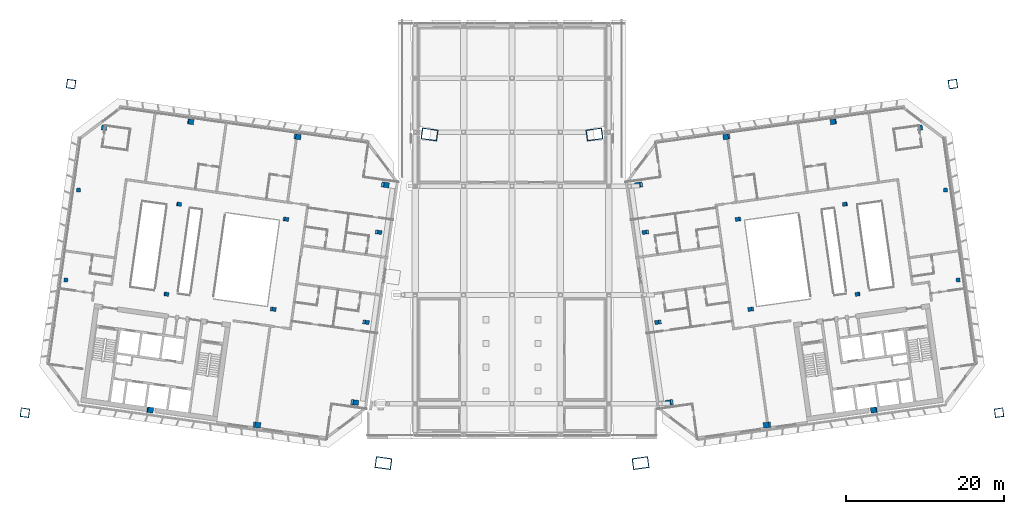
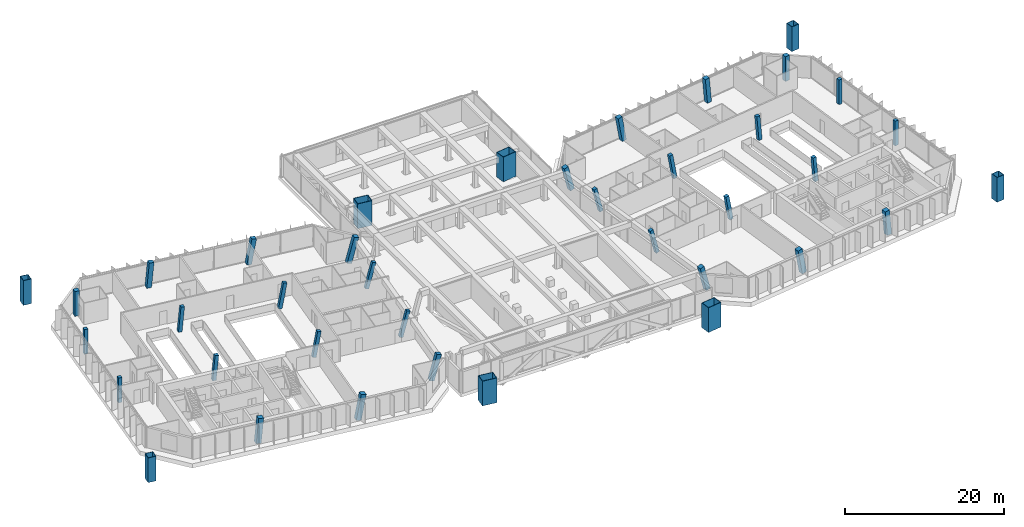
# One storey, part 1 of 30: 38 columns.
"""IFC4 building model written with IfcOpenShell, lengths in metres."""

from ifc_helpers import new_model, si_unit, direction, frame, origin, origin_2d, place, context, subcontext, project, spatial, rectangle, hollow_rectangle, extrude, material, material_profile, profile_set, type_object, element, save


model = new_model("IFC4")

# Units and contexts
model_context = context("Model", 3, precision=1e-05, world=origin(), true_north=direction((0.0, 1.0)))
body_context = subcontext(model_context, "Body", "Model", "MODEL_VIEW")
ifc_project = project(units=[si_unit("LENGTHUNIT", "METRE"), si_unit("AREAUNIT", "SQUARE_METRE"), si_unit("VOLUMEUNIT", "CUBIC_METRE"), si_unit("PLANEANGLEUNIT", "RADIAN"), si_unit("MASSUNIT", "GRAM", prefix="KILO")], contexts=[model_context])

# Site, building, storey
site_placement = place(None, origin())
site = spatial("IfcSite", under=ifc_project, at=site_placement, CompositionType="ELEMENT")
building_placement = place(site_placement, origin())
building = spatial("IfcBuilding", under=site, at=building_placement, Name="Mirante Cascada Hotel Towers", CompositionType="ELEMENT")
storey_placement = place(building_placement, frame((0.0, 0.0, 258.4)))
storey = spatial("IfcBuildingStorey", under=building, at=storey_placement, Name="L62", CompositionType="ELEMENT", Elevation=258.4)

# Columns
ifc_material_1 = material(Name="Steel ASTM A572 Gr 50", Category="steel")
ifc_material_profile_1 = material_profile(ifc_material_1, hollow_rectangle(XDim=1.1, YDim=1.1, WallThickness=0.05, at=origin_2d()), Name="Box column 1100x1100x50 ASTM A572 Gr 50")
ifc_profile_set_1 = profile_set([ifc_material_profile_1], Name="Steel ASTM A572 Gr 50")
column_type_1 = type_object("IfcColumnType", Name="Box column 1100x1100x50 ASTM A572 Gr 50", PredefinedType="COLUMN", material=ifc_profile_set_1)
for number, where, z_axis, x_axis, name in (
    (1, (-55.7951, 22.8316, 0.0), (0.0, 0.0, 1.0), (-0.9902681, 0.1391731, 0.0), "Mega column MC3 T1 L62"),
    (2, (-61.6404, -18.7596, 0.0), (0.0, 0.0, 1.0), (-0.9902681, 0.1391731, 0.0), "Mega column MC4 T1 L62"),
    (3, (55.7951, 22.8316, 0.0), (0.0, 0.0, 1.0), (0.9902681, 0.1391731, 0.0), "Mega column MC3 T2 L62"),
    (4, (61.6404, -18.7596, 0.0), (0.0, 0.0, 1.0), (0.9902681, 0.1391731, 0.0), "Mega column MC4 T2 L62"),
):
    element("IfcColumn", number, at=place(storey_placement, frame(where, z_axis=z_axis, x_axis=x_axis)), inside=storey, type_object=column_type_1, Name=name, PredefinedType="COLUMN", context=body_context, shape_type="SweptSolid", body=[
        extrude(hollow_rectangle(XDim=1.1, YDim=1.1, WallThickness=0.05, at=origin_2d()), origin(), (0.0, 0.0, 1.0), 3.8),
    ])
ifc_material_2 = material(Name="Steel ASTM A572 Gr 50", Category="steel")
ifc_material_profile_2 = material_profile(ifc_material_2, hollow_rectangle(XDim=2.0, YDim=1.4, WallThickness=0.06, at=origin_2d()), Name="Box column 1400x2000x60 ASTM A572 Gr 50")
ifc_profile_set_2 = profile_set([ifc_material_profile_2], Name="Steel ASTM A572 Gr 50")
column_type_2 = type_object("IfcColumnType", Name="Box column 1400x2000x60 ASTM A572 Gr 50", PredefinedType="COLUMN", material=ifc_profile_set_2)
for number, where, z_axis, x_axis, name in (
    (5, (-10.429, 16.4559, 0.0), (0.0, 0.0, 1.0), (-0.9902681, 0.1391731, 0.0), "Mega column MC1 T1 L62"),
    (6, (-16.2743, -25.1354, 0.0), (0.0, 0.0, 1.0), (-0.9902681, 0.1391731, 0.0), "Mega column MC2 T1 L62"),
    (7, (10.429, 16.4559, 0.0), (0.0, 0.0, 1.0), (0.9902681, 0.1391731, 0.0), "Mega column MC1 T2 L62"),
    (8, (16.2743, -25.1354, 0.0), (0.0, 0.0, 1.0), (0.9902681, 0.1391731, 0.0), "Mega column MC2 T2 L62"),
):
    element("IfcColumn", number, at=place(storey_placement, frame(where, z_axis=z_axis, x_axis=x_axis)), inside=storey, type_object=column_type_2, Name=name, PredefinedType="COLUMN", context=body_context, shape_type="SweptSolid", body=[
        extrude(hollow_rectangle(XDim=2.0, YDim=1.4, WallThickness=0.06, at=origin_2d()), origin(), (0.0, 0.0, 1.0), 3.8),
    ])
ifc_material_3 = material(Name="Concrete C50/60", Category="concrete")
ifc_material_profile_3 = material_profile(ifc_material_3, rectangle(XDim=0.5, YDim=0.5, at=origin_2d()), Name="RC column 500x500 C50/60")
ifc_profile_set_3 = profile_set([ifc_material_profile_3], Name="Concrete C50/60")
column_type_3 = type_object("IfcColumnType", Name="RC column 500x500 C50/60", PredefinedType="COLUMN", material=ifc_profile_set_3)
for number, where, z_axis, x_axis, name in (
    (9, (-17.0353, 4.1051, 0.0039), (0.2500985, -0.0351597, 0.9675818), (0.1392146, 0.9902622, 0.0), "Column T1 L62 2"),
    (10, (-18.6358, -7.283, 0.0039), (0.2500985, -0.0351597, 0.9675818), (0.1392146, 0.9902622, 0.0), "Column T1 L62 3"),
):
    element("IfcColumn", number, at=place(storey_placement, frame(where, z_axis=z_axis, x_axis=x_axis)), inside=storey, type_object=column_type_3, Name=name, PredefinedType="COLUMN", context=body_context, shape_type="SweptSolid", body=[
        extrude(rectangle(XDim=0.5, YDim=0.5, at=origin_2d()), origin(), (0.0, 0.0, 1.0), 3.9193),
    ])
for number, where, z_axis, x_axis, name in (
    (11, (-28.7221, 5.7476, 0.0039), (0.176446, -0.0248062, 0.9839977), (0.1392191, 0.9902616, 0.0), "Column T1 L62 6"),
    (12, (-30.3226, -5.6405, 0.0039), (0.176446, -0.0248062, 0.9839977), (0.1392191, 0.9902616, 0.0), "Column T1 L62 7"),
):
    element("IfcColumn", number, at=place(storey_placement, frame(where, z_axis=z_axis, x_axis=x_axis)), inside=storey, type_object=column_type_3, Name=name, PredefinedType="COLUMN", context=body_context, shape_type="SweptSolid", body=[
        extrude(rectangle(XDim=0.5, YDim=0.5, at=origin_2d()), origin(), (0.0, 0.0, 1.0), 3.8539),
    ])
for number, where, z_axis, x_axis, name in (
    (13, (-42.1834, 7.6394, 0.004), (0.0892972, -0.0125541, 0.9959259), (0.1392191, 0.9902616, 0.0), "Column T1 L62 10"),
    (14, (-43.7839, -3.7487, 0.004), (0.0892972, -0.0125541, 0.9959259), (0.1392191, 0.9902616, 0.0), "Column T1 L62 11"),
):
    element("IfcColumn", number, at=place(storey_placement, frame(where, z_axis=z_axis, x_axis=x_axis)), inside=storey, type_object=column_type_3, Name=name, PredefinedType="COLUMN", context=body_context, shape_type="SweptSolid", body=[
        extrude(rectangle(XDim=0.5, YDim=0.5, at=origin_2d()), origin(), (0.0, 0.0, 1.0), 3.8075),
    ])
for number, where, z_axis, x_axis, name in (
    (15, (-54.8525, 9.4199, 0.0), (0.0, 0.0, 1.0), (-0.9902681, 0.1391731, 0.0), "Column T1 L62 14"),
    (16, (-56.453, -1.9681, 0.0), (0.0, 0.0, 1.0), (-0.9902681, 0.1391731, 0.0), "Column T1 L62 15"),
):
    element("IfcColumn", number, at=place(storey_placement, frame(where, z_axis=z_axis, x_axis=x_axis)), inside=storey, type_object=column_type_3, Name=name, PredefinedType="COLUMN", context=body_context, shape_type="SweptSolid", body=[
        extrude(rectangle(XDim=0.5, YDim=0.5, at=origin_2d()), origin(), (0.0, 0.0, 1.0), 3.8),
    ])
for number, where, z_axis, x_axis, name in (
    (17, (17.0353, 4.1051, 0.0039), (-0.2500985, -0.0351597, 0.9675818), (0.1392146, -0.9902622, 0.0), "Column T2 L62 2"),
    (18, (18.6358, -7.283, 0.0039), (-0.2500985, -0.0351597, 0.9675818), (0.1392146, -0.9902622, 0.0), "Column T2 L62 3"),
):
    element("IfcColumn", number, at=place(storey_placement, frame(where, z_axis=z_axis, x_axis=x_axis)), inside=storey, type_object=column_type_3, Name=name, PredefinedType="COLUMN", context=body_context, shape_type="SweptSolid", body=[
        extrude(rectangle(XDim=0.5, YDim=0.5, at=origin_2d()), origin(), (0.0, 0.0, 1.0), 3.9193),
    ])
for number, where, z_axis, x_axis, name in (
    (19, (28.7221, 5.7476, 0.0039), (-0.176446, -0.0248062, 0.9839977), (0.1392191, -0.9902616, 0.0), "Column T2 L62 6"),
    (20, (30.3226, -5.6405, 0.0039), (-0.176446, -0.0248062, 0.9839977), (0.1392191, -0.9902616, 0.0), "Column T2 L62 7"),
):
    element("IfcColumn", number, at=place(storey_placement, frame(where, z_axis=z_axis, x_axis=x_axis)), inside=storey, type_object=column_type_3, Name=name, PredefinedType="COLUMN", context=body_context, shape_type="SweptSolid", body=[
        extrude(rectangle(XDim=0.5, YDim=0.5, at=origin_2d()), origin(), (0.0, 0.0, 1.0), 3.8539),
    ])
for number, where, z_axis, x_axis, name in (
    (21, (42.1834, 7.6394, 0.004), (-0.0892972, -0.0125541, 0.9959259), (0.1392191, -0.9902616, 0.0), "Column T2 L62 10"),
    (22, (43.7839, -3.7487, 0.004), (-0.0892972, -0.0125541, 0.9959259), (0.1392191, -0.9902616, 0.0), "Column T2 L62 11"),
):
    element("IfcColumn", number, at=place(storey_placement, frame(where, z_axis=z_axis, x_axis=x_axis)), inside=storey, type_object=column_type_3, Name=name, PredefinedType="COLUMN", context=body_context, shape_type="SweptSolid", body=[
        extrude(rectangle(XDim=0.5, YDim=0.5, at=origin_2d()), origin(), (0.0, 0.0, 1.0), 3.8075),
    ])
for number, where, z_axis, x_axis, name in (
    (23, (54.8525, 9.4199, 0.0), (0.0, 0.0, 1.0), (0.9902681, 0.1391731, 0.0), "Column T2 L62 14"),
    (24, (56.453, -1.9681, 0.0), (0.0, 0.0, 1.0), (0.9902681, 0.1391731, 0.0), "Column T2 L62 15"),
):
    element("IfcColumn", number, at=place(storey_placement, frame(where, z_axis=z_axis, x_axis=x_axis)), inside=storey, type_object=column_type_3, Name=name, PredefinedType="COLUMN", context=body_context, shape_type="SweptSolid", body=[
        extrude(rectangle(XDim=0.5, YDim=0.5, at=origin_2d()), origin(), (0.0, 0.0, 1.0), 3.8),
    ])
ifc_material_4 = material(Name="Concrete C50/60", Category="concrete")
ifc_material_profile_4 = material_profile(ifc_material_4, rectangle(XDim=0.65, YDim=0.65, at=origin_2d()), Name="RC column 650x650 C50/60")
ifc_profile_set_4 = profile_set([ifc_material_profile_4], Name="Concrete C50/60")
column_type_4 = type_object("IfcColumnType", Name="RC column 650x650 C50/60", PredefinedType="COLUMN", material=ifc_profile_set_4)
for number, where, z_axis, x_axis, name in (
    (25, (-16.1933, 10.0962, 0.0039), (0.2500985, -0.0351597, 0.9675818), (0.1392146, 0.9902622, 0.0), "Column T1 L62 1"),
    (26, (-20.0623, -17.4333, 0.0039), (0.2500988, -0.0351343, 0.9675827), (0.1391155, 0.9902762, 0.0), "Column T1 L62 4"),
):
    element("IfcColumn", number, at=place(storey_placement, frame(where, z_axis=z_axis, x_axis=x_axis)), inside=storey, type_object=column_type_4, Name=name, PredefinedType="COLUMN", context=body_context, shape_type="SweptSolid", body=[
        extrude(rectangle(XDim=0.65, YDim=0.65, at=origin_2d()), origin(), (0.0, 0.0, 1.0), 3.9193),
    ])
column_1_placement = place(storey_placement, frame((-27.2573, 16.1701, 0.0039), z_axis=(0.176446, -0.0248062, 0.9839977), x_axis=(0.1392191, 0.9902616, 0.0)))
element("IfcColumn", 27, at=column_1_placement, inside=storey, type_object=column_type_4, Name="Column T1 L62 5", PredefinedType="COLUMN", context=body_context, shape_type="SweptSolid", body=[
    extrude(rectangle(XDim=0.65, YDim=0.65, at=origin_2d()), origin(), (0.0, 0.0, 1.0), 3.8539),
])
column_2_placement = place(storey_placement, frame((-40.7186, 18.062, 0.004), z_axis=(0.0892972, -0.0125541, 0.9959259), x_axis=(0.1392191, 0.9902616, 0.0)))
element("IfcColumn", 28, at=column_2_placement, inside=storey, type_object=column_type_4, Name="Column T1 L62 9", PredefinedType="COLUMN", context=body_context, shape_type="SweptSolid", body=[
    extrude(rectangle(XDim=0.65, YDim=0.65, at=origin_2d()), origin(), (0.0, 0.0, 1.0), 3.8075),
])
column_3_placement = place(storey_placement, frame((-51.6248, 17.2974, 0.0), z_axis=(0.0, 0.0, 1.0), x_axis=(-0.9902681, 0.1391731, 0.0)))
element("IfcColumn", 29, at=column_3_placement, inside=storey, type_object=column_type_4, Name="Column T1 L62 13", PredefinedType="COLUMN", context=body_context, shape_type="SweptSolid", body=[
    extrude(rectangle(XDim=0.65, YDim=0.65, at=origin_2d()), origin(), (0.0, 0.0, 1.0), 3.8),
])
for number, where, z_axis, x_axis, name in (
    (30, (16.1933, 10.0962, 0.0039), (-0.2500985, -0.0351597, 0.9675818), (0.1392146, -0.9902622, 0.0), "Column T2 L62 1"),
    (31, (20.0623, -17.4333, 0.0039), (-0.2500988, -0.0351343, 0.9675827), (0.1391155, -0.9902762, 0.0), "Column T2 L62 4"),
):
    element("IfcColumn", number, at=place(storey_placement, frame(where, z_axis=z_axis, x_axis=x_axis)), inside=storey, type_object=column_type_4, Name=name, PredefinedType="COLUMN", context=body_context, shape_type="SweptSolid", body=[
        extrude(rectangle(XDim=0.65, YDim=0.65, at=origin_2d()), origin(), (0.0, 0.0, 1.0), 3.9193),
    ])
column_4_placement = place(storey_placement, frame((27.2573, 16.1701, 0.0039), z_axis=(-0.176446, -0.0248062, 0.9839977), x_axis=(0.1392191, -0.9902616, 0.0)))
element("IfcColumn", 32, at=column_4_placement, inside=storey, type_object=column_type_4, Name="Column T2 L62 5", PredefinedType="COLUMN", context=body_context, shape_type="SweptSolid", body=[
    extrude(rectangle(XDim=0.65, YDim=0.65, at=origin_2d()), origin(), (0.0, 0.0, 1.0), 3.8539),
])
column_5_placement = place(storey_placement, frame((40.7186, 18.062, 0.004), z_axis=(-0.0892972, -0.0125541, 0.9959259), x_axis=(0.1392191, -0.9902616, 0.0)))
element("IfcColumn", 33, at=column_5_placement, inside=storey, type_object=column_type_4, Name="Column T2 L62 9", PredefinedType="COLUMN", context=body_context, shape_type="SweptSolid", body=[
    extrude(rectangle(XDim=0.65, YDim=0.65, at=origin_2d()), origin(), (0.0, 0.0, 1.0), 3.8075),
])
column_6_placement = place(storey_placement, frame((51.6248, 17.2974, 0.0), z_axis=(0.0, 0.0, 1.0), x_axis=(0.9902681, 0.1391731, 0.0)))
element("IfcColumn", 34, at=column_6_placement, inside=storey, type_object=column_type_4, Name="Column T2 L62 13", PredefinedType="COLUMN", context=body_context, shape_type="SweptSolid", body=[
    extrude(rectangle(XDim=0.65, YDim=0.65, at=origin_2d()), origin(), (0.0, 0.0, 1.0), 3.8),
])
ifc_material_5 = material(Name="Concrete C50/60", Category="concrete")
ifc_material_profile_5 = material_profile(ifc_material_5, rectangle(XDim=0.7, YDim=0.7, at=origin_2d()), Name="RC column 700x700 C50/60")
ifc_profile_set_5 = profile_set([ifc_material_profile_5], Name="Concrete C50/60")
column_type_5 = type_object("IfcColumnType", Name="RC column 700x700 C50/60", PredefinedType="COLUMN", material=ifc_profile_set_5)
column_7_placement = place(storey_placement, frame((-32.3824, -20.2965, 0.0039), z_axis=(0.1764711, -0.0248061, 0.9839932), x_axis=(0.1391991, 0.9902644, 0.0)))
element("IfcColumn", 35, at=column_7_placement, inside=storey, type_object=column_type_5, Name="Column T1 L62 8", PredefinedType="COLUMN", context=body_context, shape_type="SweptSolid", body=[
    extrude(rectangle(XDim=0.7, YDim=0.7, at=origin_2d()), origin(), (0.0, 0.0, 1.0), 3.8539),
])
column_8_placement = place(storey_placement, frame((-45.8437, -18.4046, 0.004), z_axis=(0.0892972, -0.0125541, 0.9959259), x_axis=(0.1392191, 0.9902616, 0.0)))
element("IfcColumn", 36, at=column_8_placement, inside=storey, type_object=column_type_5, Name="Column T1 L62 12", PredefinedType="COLUMN", context=body_context, shape_type="SweptSolid", body=[
    extrude(rectangle(XDim=0.7, YDim=0.7, at=origin_2d()), origin(), (0.0, 0.0, 1.0), 3.8075),
])
column_9_placement = place(storey_placement, frame((32.3824, -20.2965, 0.0039), z_axis=(-0.1764711, -0.0248061, 0.9839932), x_axis=(0.1391991, -0.9902644, 0.0)))
element("IfcColumn", 37, at=column_9_placement, inside=storey, type_object=column_type_5, Name="Column T2 L62 8", PredefinedType="COLUMN", context=body_context, shape_type="SweptSolid", body=[
    extrude(rectangle(XDim=0.7, YDim=0.7, at=origin_2d()), origin(), (0.0, 0.0, 1.0), 3.8539),
])
column_10_placement = place(storey_placement, frame((45.8437, -18.4046, 0.004), z_axis=(-0.0892972, -0.0125541, 0.9959259), x_axis=(0.1392191, -0.9902616, 0.0)))
element("IfcColumn", 38, at=column_10_placement, inside=storey, type_object=column_type_5, Name="Column T2 L62 12", PredefinedType="COLUMN", context=body_context, shape_type="SweptSolid", body=[
    extrude(rectangle(XDim=0.7, YDim=0.7, at=origin_2d()), origin(), (0.0, 0.0, 1.0), 3.8075),
])

save(model, "model.ifc")
